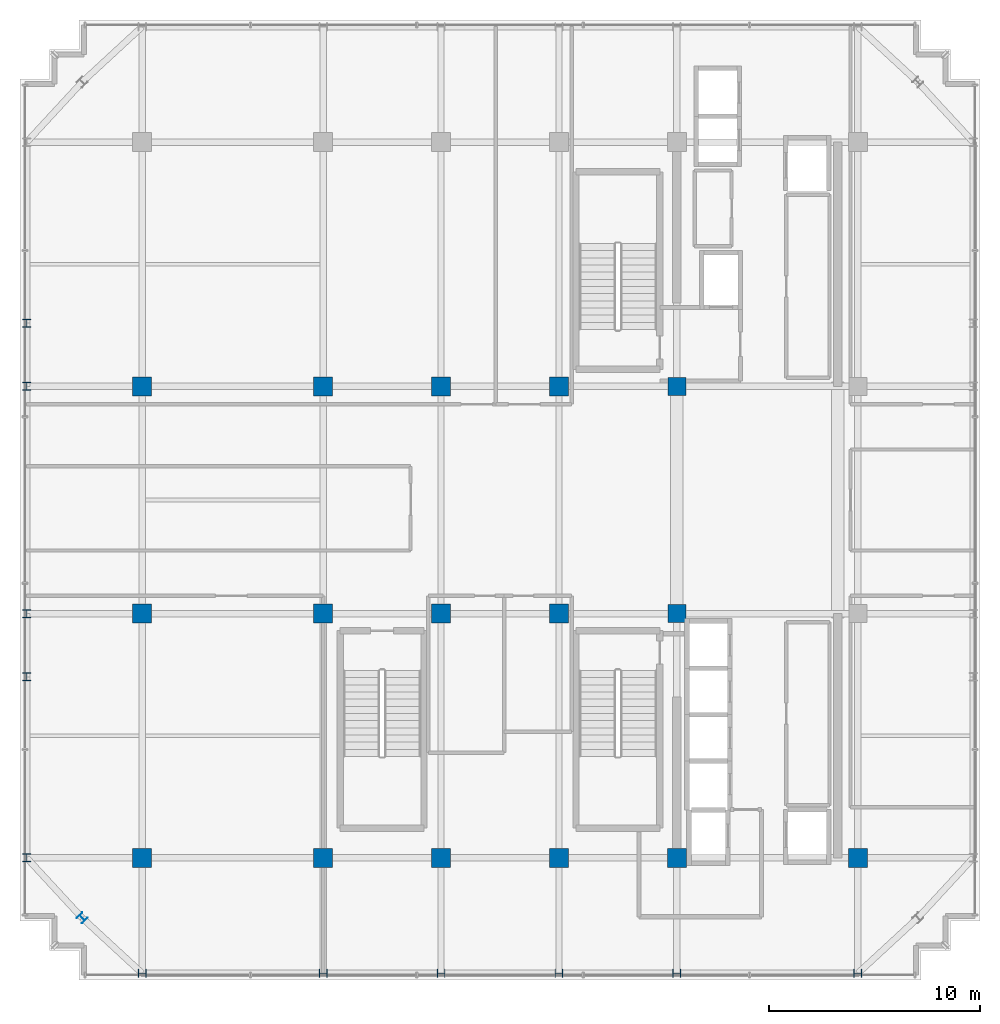
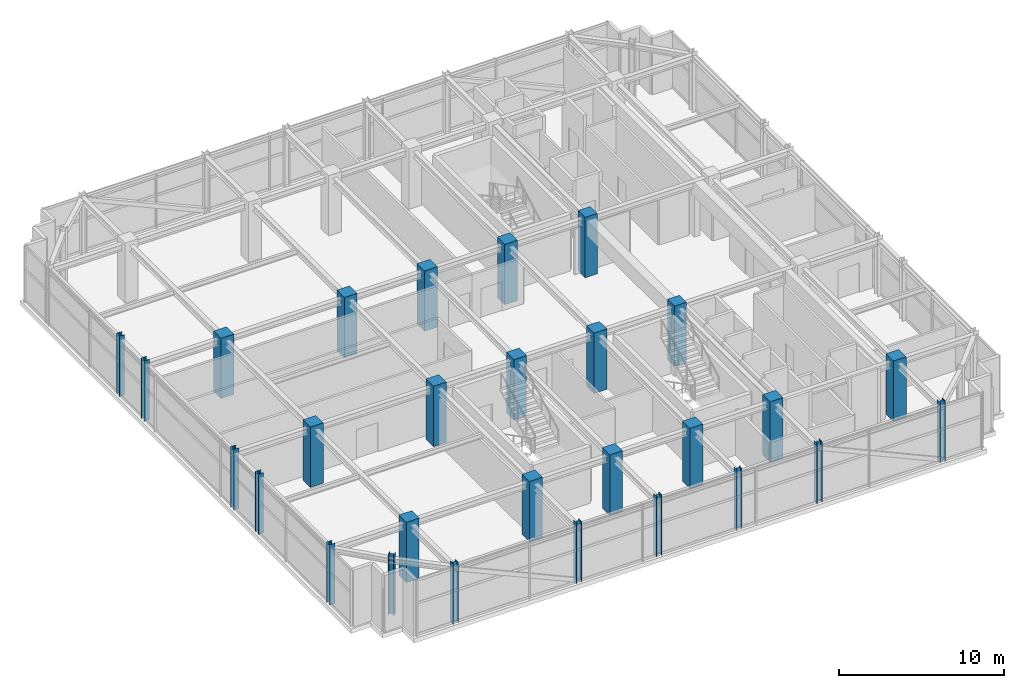
# One storey, part 1 of 26: 28 columns.
"""IFC4 building model written with IfcOpenShell, lengths in metres."""

from ifc_helpers import new_model, si_unit, direction, frame, origin, origin_2d, place, context, subcontext, project, spatial, rectangle, i_section, extrude, source, transform, mapped, material, material_profile, profile_set, type_object, element, save


model = new_model("IFC4")

# Units and contexts
model_context = context("Model", 3, precision=1e-05, world=origin(), true_north=direction((0.0, 1.0)))
body_context = subcontext(model_context, "Body", "Model", "MODEL_VIEW")
ifc_project = project(units=[si_unit("LENGTHUNIT", "METRE"), si_unit("AREAUNIT", "SQUARE_METRE"), si_unit("VOLUMEUNIT", "CUBIC_METRE"), si_unit("PLANEANGLEUNIT", "RADIAN"), si_unit("MASSUNIT", "GRAM", prefix="KILO")], contexts=[model_context])

# Site, building, storey
site_placement = place(None, origin())
site = spatial("IfcSite", under=ifc_project, at=site_placement, CompositionType="ELEMENT")
building_placement = place(site_placement, origin())
building = spatial("IfcBuilding", under=site, at=building_placement, Name="Nahalor Promenade Grand Hotel", CompositionType="ELEMENT")
storey_placement = place(building_placement, frame((0.0, 0.0, 343.050048828125)))
storey = spatial("IfcBuildingStorey", under=building, at=storey_placement, Name="L88", CompositionType="ELEMENT", Elevation=343.050048828125)

# Columns
ifc_material_1 = material(Name="Concrete B-50 (C40/50)", Category="concrete")
ifc_material_profile_1 = material_profile(ifc_material_1, rectangle(XDim=0.9, YDim=0.9, at=origin_2d()), Name="RC 900x900")
ifc_profile_set_1 = profile_set([ifc_material_profile_1], Name="Concrete B-50 (C40/50)")
column_type_1 = type_object("IfcColumnType", Name="Col-RC-900", PredefinedType="COLUMN", material=ifc_profile_set_1)
shared_shape_1 = source(origin(), body_context, "Body", "SweptSolid", [
    extrude(rectangle(XDim=0.9, YDim=0.9, at=origin_2d()), origin(), (0.0, 0.0, 1.0), 4.454833984375),
])
for number, where, z_axis, x_axis, name in (
    (1, (-17.0, -17.0, 0.0), (0.0, 0.0, 1.0), (1.0, 0.0, 0.0), "COL-L88-I00"),
    (2, (-17.0, -5.39990234375, 0.0), (0.0, 0.0, 1.0), (1.0, 0.0, 0.0), "COL-L88-I01"),
    (3, (-17.0, 5.39990234375, 0.0), (0.0, 0.0, 1.0), (1.0, 0.0, 0.0), "COL-L88-I02"),
    (4, (-8.39990234375, -17.0, 0.0), (0.0, 0.0, 1.0), (1.0, 0.0, 0.0), "COL-L88-I10"),
    (5, (-8.39990234375, -5.39990234375, 0.0), (0.0, 0.0, 1.0), (1.0, 0.0, 0.0), "COL-L88-I11"),
    (6, (-8.39990234375, 5.39990234375, 0.0), (0.0, 0.0, 1.0), (1.0, 0.0, 0.0), "COL-L88-I12"),
    (7, (-2.800048828125, -17.0, 0.0), (0.0, 0.0, 1.0), (1.0, 0.0, 0.0), "COL-L88-I20"),
    (8, (-2.800048828125, -5.39990234375, 0.0), (0.0, 0.0, 1.0), (1.0, 0.0, 0.0), "COL-L88-I21"),
    (9, (-2.800048828125, 5.39990234375, 0.0), (0.0, 0.0, 1.0), (1.0, 0.0, 0.0), "COL-L88-I22"),
    (10, (2.800048828125, -17.0, 0.0), (0.0, 0.0, 1.0), (1.0, 0.0, 0.0), "COL-L88-I30"),
    (11, (2.800048828125, -5.39990234375, 0.0), (0.0, 0.0, 1.0), (1.0, 0.0, 0.0), "COL-L88-I31"),
    (12, (2.800048828125, 5.39990234375, 0.0), (0.0, 0.0, 1.0), (1.0, 0.0, 0.0), "COL-L88-I32"),
    (13, (8.39990234375, -17.0, 0.0), (0.0, 0.0, 1.0), (1.0, 0.0, 0.0), "COL-L88-I40"),
    (14, (17.0, -17.0, 0.0), (0.0, 0.0, 1.0), (1.0, 0.0, 0.0), "COL-L88-I50"),
):
    element("IfcColumn", number, at=place(storey_placement, frame(where, z_axis=z_axis, x_axis=x_axis)), inside=storey, type_object=column_type_1, Name=name, PredefinedType="COLUMN", context=body_context, shape_type="MappedRepresentation", body=[
        mapped(shared_shape_1, transform((0.0, 0.0, 0.0), scale=1.0)),
    ])
ifc_material_2 = material(Name="Concrete B-70 (C60/75)", Category="concrete")
ifc_material_profile_2 = material_profile(ifc_material_2, rectangle(XDim=0.85, YDim=0.85, at=origin_2d()), Name="RC 850x850")
ifc_profile_set_2 = profile_set([ifc_material_profile_2], Name="Concrete B-70 (C60/75)")
column_type_2 = type_object("IfcColumnType", Name="Col-Pilaster-850", PredefinedType="PILASTER", material=ifc_profile_set_2)
shared_shape_2 = source(origin(), body_context, "Body", "SweptSolid", [
    extrude(rectangle(XDim=0.85, YDim=0.85, at=origin_2d()), origin(), (0.0, 0.0, 1.0), 4.454833984375),
])
for number, where, z_axis, x_axis, name in (
    (15, (8.39990234375, -5.39990234375, 0.0), (0.0, 0.0, 1.0), (1.0, 0.0, 0.0), "COL-L88-I41"),
    (16, (8.39990234375, 5.39990234375, 0.0), (0.0, 0.0, 1.0), (1.0, 0.0, 0.0), "COL-L88-I42"),
):
    element("IfcColumn", number, at=place(storey_placement, frame(where, z_axis=z_axis, x_axis=x_axis)), inside=storey, type_object=column_type_2, Name=name, PredefinedType="PILASTER", context=body_context, shape_type="MappedRepresentation", body=[
        mapped(shared_shape_2, transform((0.0, 0.0, 0.0), scale=1.0)),
    ])
ifc_material_3 = material(Name="Steel S355JR", Category="steel")
ifc_material_profile_3 = material_profile(ifc_material_3, i_section(OverallWidth=0.374, OverallDepth=0.374, WebThickness=0.0144, FlangeThickness=0.0229, at=origin_2d()), Name="HD 360x262")
ifc_profile_set_3 = profile_set([ifc_material_profile_3], Name="Steel S355JR")
column_type_3 = type_object("IfcColumnType", Name="Col-Steel-HD262", PredefinedType="COLUMN", material=ifc_profile_set_3)
shared_shape_3 = source(origin(), body_context, "Body", "SweptSolid", [
    extrude(i_section(OverallWidth=0.374, OverallDepth=0.374, WebThickness=0.0144, FlangeThickness=0.0229, at=origin_2d()), origin(), (0.0, 0.0, 1.0), 4.454833984375),
])
for number, where, z_axis, x_axis, name in (
    (17, (-22.47998046875, -17.0, 0.0), (0.0, 0.0, 1.0), (1.0, 0.0, 0.0), "COL-L88-PW-W0"),
    (18, (-22.47998046875, -8.39990234375, 0.0), (0.0, 0.0, 1.0), (1.0, 0.0, 0.0), "COL-L88-PW-W1"),
    (19, (-22.47998046875, -5.39990234375, 0.0), (0.0, 0.0, 1.0), (1.0, 0.0, 0.0), "COL-L88-PW-W2"),
    (20, (-22.47998046875, 5.39990234375, 0.0), (0.0, 0.0, 1.0), (1.0, 0.0, 0.0), "COL-L88-PW-W3"),
    (21, (-22.47998046875, 8.39990234375, 0.0), (0.0, 0.0, 1.0), (1.0, 0.0, 0.0), "COL-L88-PW-W4"),
    (22, (-17.0, -22.47998046875, 0.0), (0.0, 0.0, 1.0), (0.0, 1.0, 0.0), "COL-L88-PN-S0"),
    (23, (-8.39990234375, -22.47998046875, 0.0), (0.0, 0.0, 1.0), (0.0, 1.0, 0.0), "COL-L88-PN-S1"),
    (24, (-2.800048828125, -22.47998046875, 0.0), (0.0, 0.0, 1.0), (0.0, 1.0, 0.0), "COL-L88-PN-S2"),
    (25, (2.800048828125, -22.47998046875, 0.0), (0.0, 0.0, 1.0), (0.0, 1.0, 0.0), "COL-L88-PN-S3"),
    (26, (8.39990234375, -22.47998046875, 0.0), (0.0, 0.0, 1.0), (0.0, 1.0, 0.0), "COL-L88-PN-S4"),
    (27, (17.0, -22.47998046875, 0.0), (0.0, 0.0, 1.0), (0.0, 1.0, 0.0), "COL-L88-PN-S5"),
    (28, (-19.85009765625, -19.85009765625, 0.0), (0.0, 0.0, 1.0), (0.707106781187, 0.707106781187, 0.0), "COL-L88-CRN-SW"),
):
    element("IfcColumn", number, at=place(storey_placement, frame(where, z_axis=z_axis, x_axis=x_axis)), inside=storey, type_object=column_type_3, Name=name, PredefinedType="COLUMN", context=body_context, shape_type="MappedRepresentation", body=[
        mapped(shared_shape_3, transform((0.0, 0.0, 0.0), scale=1.0)),
    ])

save(model, "model.ifc")
